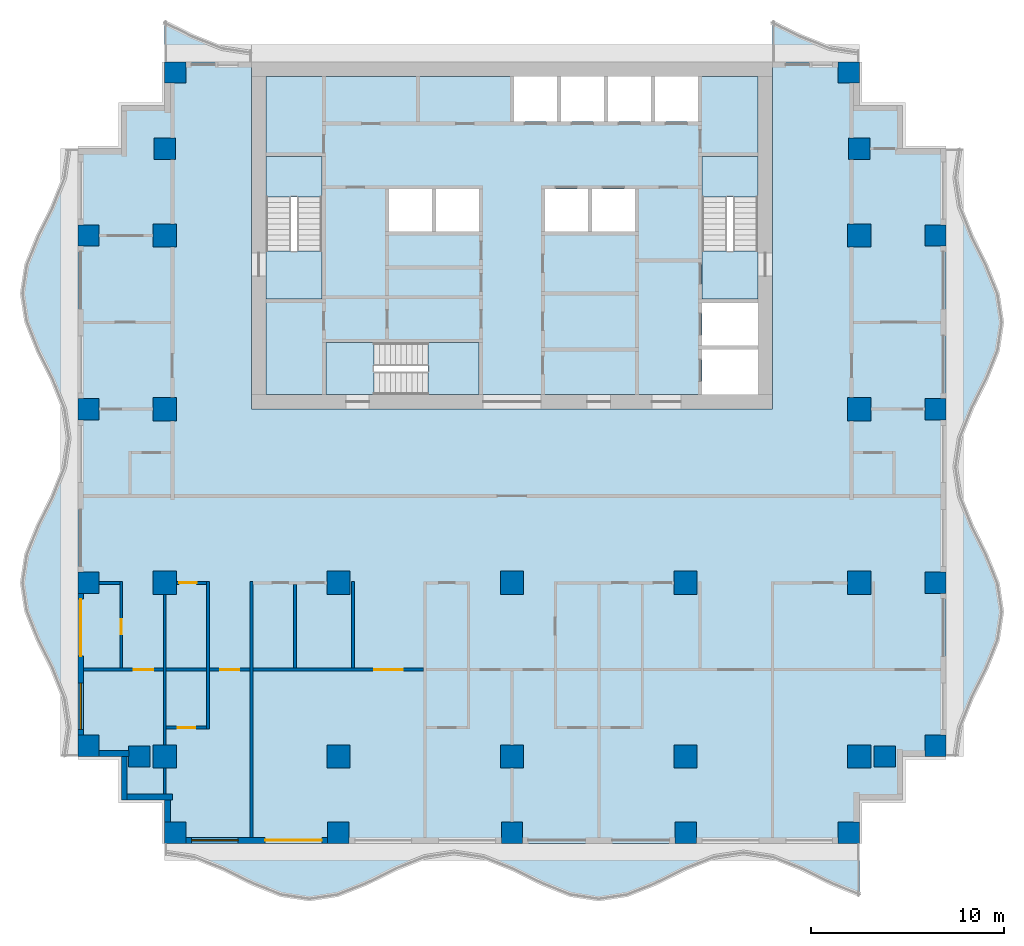
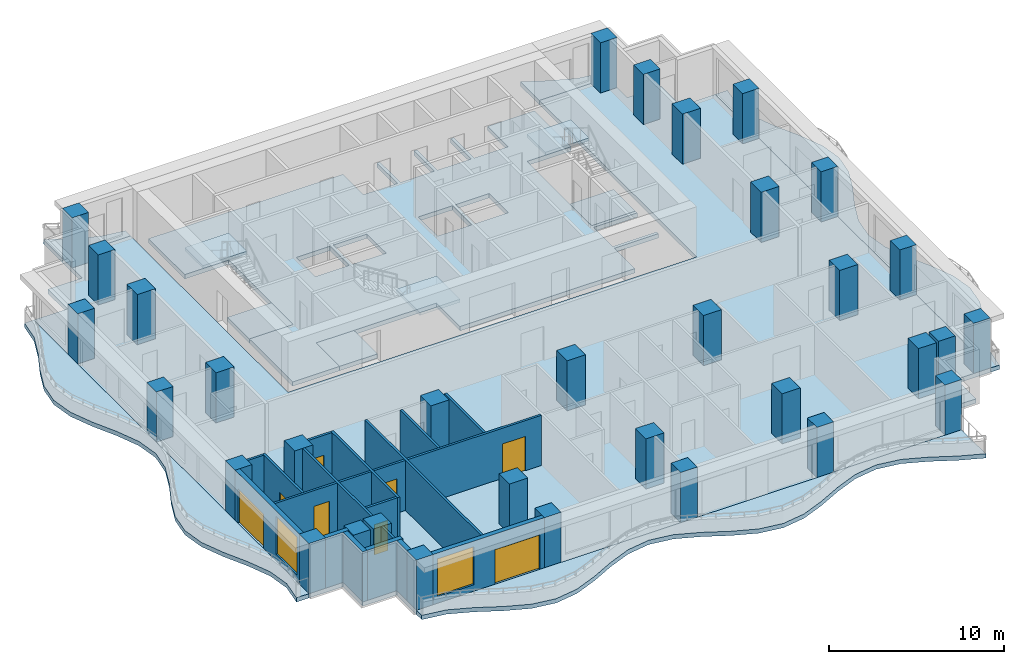
# One storey, part 1 of 10: 33 columns, 20 walls, 13 slabs, 8 doors, 2 windows, 10 openings, 3 elements without a shape of their own.
"""IFC4 building model written with IfcOpenShell, lengths in metres."""

from ifc_helpers import new_model, si_unit, direction, frame, frame_2d, origin, origin_2d, place, context, subcontext, project, spatial, polyline, rectangle, outline, extrude, material, layer, layer_set, material_profile, profile_set, type_object, element, fill, aggregate, save


model = new_model("IFC4")

# Units and contexts
model_context = context("Model", 3, precision=1e-05, world=origin(), true_north=direction((0.0, 1.0)))
body_context = subcontext(model_context, "Body", "Model", "MODEL_VIEW")
ifc_project = project(units=[si_unit("LENGTHUNIT", "METRE"), si_unit("AREAUNIT", "SQUARE_METRE"), si_unit("VOLUMEUNIT", "CUBIC_METRE"), si_unit("PLANEANGLEUNIT", "RADIAN"), si_unit("MASSUNIT", "GRAM", prefix="KILO")], contexts=[model_context])

# Site, building, storey
site_placement = place(None, origin())
site = spatial("IfcSite", under=ifc_project, at=site_placement, CompositionType="ELEMENT")
building_placement = place(site_placement, origin())
building = spatial("IfcBuilding", under=site, at=building_placement, Name="Orbiselva Terraces", CompositionType="ELEMENT")
storey_placement = place(building_placement, frame((0.0, 0.0, 166.8)))
storey = spatial("IfcBuildingStorey", under=building, at=storey_placement, Name="L42", CompositionType="ELEMENT", Elevation=166.8)

# Columns
ifc_material_1 = material(Name="Concrete C60/75", Category="concrete")
ifc_material_profile_1 = material_profile(ifc_material_1, rectangle(XDim=1.2, YDim=1.2, at=origin_2d()), Name="RC 1200x1200")
ifc_profile_set_1 = profile_set([ifc_material_profile_1], Name="Concrete C60/75")
column_type_1 = type_object("IfcColumnType", Name="COLUMN RC 1200x1200", PredefinedType="COLUMN", material=ifc_profile_set_1)
for number, where, z_axis, x_axis, name in (
    (1, (-18.0, -13.5, 0.0), (0.0, 0.0, 1.0), (1.0, 0.0, 0.0), "Column L42-01"),
    (2, (-18.0, -4.5, 0.0), (0.0, 0.0, 1.0), (1.0, 0.0, 0.0), "Column L42-03"),
    (3, (-18.0, 13.5, 0.0), (0.0, 0.0, 1.0), (1.0, 0.0, 0.0), "Column L42-04"),
    (4, (-18.0, 4.5, 0.0), (0.0, 0.0, 1.0), (1.0, 0.0, 0.0), "Column L42-06"),
    (5, (-9.0, -13.5, 0.0), (0.0, 0.0, 1.0), (1.0, 0.0, 0.0), "Column L42-13"),
    (6, (-9.0, -4.5, 0.0), (0.0, 0.0, 1.0), (1.0, 0.0, 0.0), "Column L42-15"),
    (7, (0.0, -13.5, 0.0), (0.0, 0.0, 1.0), (1.0, 0.0, 0.0), "Column L42-16"),
    (8, (0.0, -4.5, 0.0), (0.0, 0.0, 1.0), (1.0, 0.0, 0.0), "Column L42-18"),
    (9, (18.0, -13.5, 0.0), (0.0, 0.0, 1.0), (1.0, 0.0, 0.0), "Column L42-19"),
    (10, (18.0, -4.5, 0.0), (0.0, 0.0, 1.0), (1.0, 0.0, 0.0), "Column L42-21"),
    (11, (18.0, 13.5, 0.0), (0.0, 0.0, 1.0), (1.0, 0.0, 0.0), "Column L42-22"),
    (12, (18.0, 4.5, 0.0), (0.0, 0.0, 1.0), (1.0, 0.0, 0.0), "Column L42-24"),
    (13, (9.0, -13.5, 0.0), (0.0, 0.0, 1.0), (1.0, 0.0, 0.0), "Column L42-31"),
    (14, (9.0, -4.5, 0.0), (0.0, 0.0, 1.0), (1.0, 0.0, 0.0), "Column L42-33"),
):
    element("IfcColumn", number, at=place(storey_placement, frame(where, z_axis=z_axis, x_axis=x_axis)), inside=storey, type_object=column_type_1, Name=name, PredefinedType="COLUMN", context=body_context, shape_type="SweptSolid", body=[
        extrude(rectangle(XDim=1.2, YDim=1.2, at=origin_2d()), origin(), (0.0, 0.0, 1.0), 3.5),
    ])
ifc_material_profile_2 = material_profile(ifc_material_1, rectangle(XDim=1.1, YDim=1.1, at=origin_2d()), Name="RC 1100x1100")
ifc_profile_set_2 = profile_set([ifc_material_profile_2], Name="Concrete C60/75")
column_type_2 = type_object("IfcColumnType", Name="PERIMETER COLUMN RC 1100x1100", PredefinedType="COLUMN", material=ifc_profile_set_2)
for number, where, z_axis, x_axis, name in (
    (15, (-17.45, -17.45, 0.0), (0.0, 0.0, 1.0), (1.0, 0.0, 0.0), "Column L42-02"),
    (16, (-17.45, 21.95, 0.0), (0.0, 0.0, 1.0), (1.0, 0.0, 0.0), "Column L42-05"),
    (17, (-21.95, -12.95, 0.0), (0.0, 0.0, 1.0), (1.0, 0.0, 0.0), "Column L42-07"),
    (18, (-19.32, -13.5, 0.0), (0.0, 0.0, 1.0), (1.0, 0.0, 0.0), "Column L42-08"),
    (19, (-21.95, -4.5, 0.0), (0.0, 0.0, 1.0), (1.0, 0.0, 0.0), "Column L42-09"),
    (20, (-21.95, 13.5, 0.0), (0.0, 0.0, 1.0), (1.0, 0.0, 0.0), "Column L42-10"),
    (21, (-18.0, 18.0, 0.0), (0.0, 0.0, 1.0), (1.0, 0.0, 0.0), "Column L42-11"),
    (22, (-21.95, 4.5, 0.0), (0.0, 0.0, 1.0), (1.0, 0.0, 0.0), "Column L42-12"),
    (23, (-9.0, -17.45, 0.0), (0.0, 0.0, 1.0), (1.0, 0.0, 0.0), "Column L42-14"),
    (24, (0.0, -17.45, 0.0), (0.0, 0.0, 1.0), (1.0, 0.0, 0.0), "Column L42-17"),
    (25, (17.45, -17.45, 0.0), (0.0, 0.0, 1.0), (1.0, 0.0, 0.0), "Column L42-20"),
    (26, (17.45, 21.95, 0.0), (0.0, 0.0, 1.0), (1.0, 0.0, 0.0), "Column L42-23"),
    (27, (21.95, -12.95, 0.0), (0.0, 0.0, 1.0), (1.0, 0.0, 0.0), "Column L42-25"),
    (28, (19.32, -13.5, 0.0), (0.0, 0.0, 1.0), (1.0, 0.0, 0.0), "Column L42-26"),
    (29, (21.95, -4.5, 0.0), (0.0, 0.0, 1.0), (1.0, 0.0, 0.0), "Column L42-27"),
    (30, (21.95, 13.5, 0.0), (0.0, 0.0, 1.0), (1.0, 0.0, 0.0), "Column L42-28"),
    (31, (18.0, 18.0, 0.0), (0.0, 0.0, 1.0), (1.0, 0.0, 0.0), "Column L42-29"),
    (32, (21.95, 4.5, 0.0), (0.0, 0.0, 1.0), (1.0, 0.0, 0.0), "Column L42-30"),
    (33, (9.0, -17.45, 0.0), (0.0, 0.0, 1.0), (1.0, 0.0, 0.0), "Column L42-32"),
):
    element("IfcColumn", number, at=place(storey_placement, frame(where, z_axis=z_axis, x_axis=x_axis)), inside=storey, type_object=column_type_2, Name=name, PredefinedType="COLUMN", context=body_context, shape_type="SweptSolid", body=[
        extrude(rectangle(XDim=1.1, YDim=1.1, at=origin_2d()), origin(), (0.0, 0.0, 1.0), 3.5),
    ])

# Slabs
ifc_material_2 = material(Name="Concrete C40/50", Category="concrete")
ifc_layer_1 = layer(ifc_material_2, 0.3)
ifc_layer_set_1 = layer_set([ifc_layer_1], Name="Concrete C40/50")
slab_type_1 = type_object("IfcSlabType", Name="CORE-SLAB-FLOOR-300", PredefinedType="FLOOR", material=ifc_layer_set_1)
slab_1_placement = place(storey_placement, frame((0.0, 0.0, -0.3)))
element("IfcSlab", 34, at=slab_1_placement, inside=storey, type_object=slab_type_1, Name="L42 S1 floor landing", PredefinedType="FLOOR", context=body_context, shape_type="SweptSolid", body=[
    extrude(outline(polyline([(-12.75, 12.7), (-9.85, 12.7), (-9.85, 10.2), (-12.75, 10.2), (-12.75, 12.7)])), origin(), (0.0, 0.0, 1.0), 0.3),
])
slab_2_placement = place(storey_placement, frame((0.0, 0.0, -0.3)))
element("IfcSlab", 35, at=slab_2_placement, inside=storey, type_object=slab_type_1, Name="L42 S2 floor landing", PredefinedType="FLOOR", context=body_context, shape_type="SweptSolid", body=[
    extrude(outline(polyline([(12.75, 12.7), (12.75, 10.2), (9.85, 10.2), (9.85, 12.7), (12.75, 12.7)])), origin(), (0.0, 0.0, 1.0), 0.3),
])
slab_3_placement = place(storey_placement, frame((0.0, 0.0, -0.3)))
element("IfcSlab", 36, at=slab_3_placement, inside=storey, type_object=slab_type_1, Name="L42 S3 floor landing", PredefinedType="FLOOR", context=body_context, shape_type="SweptSolid", body=[
    extrude(outline(polyline([(-7.15, 5.25), (-9.65, 5.25), (-9.65, 7.95), (-7.15, 7.95), (-7.15, 5.25)])), origin(), (0.0, 0.0, 1.0), 0.3),
])
slab_4_placement = place(storey_placement, frame((0.0, 0.0, -0.3)))
element("IfcSlab", 37, at=slab_4_placement, inside=storey, type_object=slab_type_1, Name="L42 core floor slab 1", PredefinedType="FLOOR", context=body_context, shape_type="SweptSolid", body=[
    extrude(outline(polyline([(-1.7, 5.25), (-1.7, 7.95), (-9.65, 7.95), (-9.65, 5.25), (-12.75, 5.25), (-12.75, 10.2), (-9.85, 10.2), (-9.85, 17.6), (-12.75, 17.6), (-12.75, 21.75), (0.1, 21.75), (0.1, 19.4), (2.3375, 19.4), (2.3375, 21.75), (2.5375, 21.75), (2.5375, 19.4), (4.775, 19.4), (4.775, 21.75), (4.975, 21.75), (4.975, 19.4), (7.2125, 19.4), (7.2125, 21.75), (7.4125, 21.75), (7.4125, 19.4), (9.65, 19.4), (9.65, 21.75), (12.75, 21.75), (12.75, 17.6), (9.85, 17.6), (9.85, 10.2), (12.75, 10.2), (12.75, 10.0), (9.85, 10.0), (9.85, 7.8), (12.75, 7.8), (12.75, 7.6), (9.85, 7.6), (9.85, 5.25), (-1.7, 5.25)]), holes=[polyline([(-4.1375, 13.7), (-4.1375, 15.9), (-6.375, 15.9), (-6.375, 13.7), (-4.1375, 13.7)]), polyline([(-1.7, 13.7), (-1.7, 15.9), (-3.9375, 15.9), (-3.9375, 13.7), (-1.7, 13.7)]), polyline([(3.9375, 15.9), (1.7, 15.9), (1.7, 13.7), (3.9375, 13.7), (3.9375, 15.9)]), polyline([(6.375, 13.7), (6.375, 15.9), (4.1375, 15.9), (4.1375, 13.7), (6.375, 13.7)])]), origin(), (0.0, 0.0, 1.0), 0.3),
])

# Stair, slab
stair_type_1 = type_object("IfcStairType", Name="CORE-STAIR-1300", PredefinedType="HALF_TURN_STAIR", material=ifc_material_2)
stair_1_placement = place(storey_placement, origin())
stair_1 = element("IfcStair", 38, at=stair_1_placement, inside=storey, type_object=stair_type_1, Name="L42 Exit Stair S1", PredefinedType="HALF_TURN_STAIR")
ifc_layer_2 = layer(ifc_material_2, 0.2)
ifc_layer_set_2 = layer_set([ifc_layer_2], Name="Concrete C40/50")
slab_type_2 = type_object("IfcSlabType", Name="CORE-STAIR-LANDING-200", PredefinedType="LANDING", material=ifc_layer_set_2)
slab_5_placement = place(storey_placement, frame((0.0, 0.0, 1.7)))
slab_5 = element("IfcSlab", 39, at=slab_5_placement, type_object=slab_type_2, Name="S1 landing 1", PredefinedType="LANDING", context=body_context, shape_type="SweptSolid", body=[
    extrude(outline(polyline([(-9.85, 15.5), (-9.85, 17.6), (-12.75, 17.6), (-12.75, 15.5), (-9.85, 15.5)])), origin(), (0.0, 0.0, 1.0), 0.2),
])
aggregate(stair_1, [slab_5])

stair_2_placement = place(storey_placement, origin())
stair_2 = element("IfcStair", 40, at=stair_2_placement, inside=storey, type_object=stair_type_1, Name="L42 Exit Stair S2", PredefinedType="HALF_TURN_STAIR")
slab_6_placement = place(storey_placement, frame((0.0, 0.0, 1.7)))
slab_6 = element("IfcSlab", 41, at=slab_6_placement, type_object=slab_type_2, Name="S2 landing 1", PredefinedType="LANDING", context=body_context, shape_type="SweptSolid", body=[
    extrude(outline(polyline([(12.75, 15.5), (12.75, 17.6), (9.85, 17.6), (9.85, 15.5), (12.75, 15.5)])), origin(), (0.0, 0.0, 1.0), 0.2),
])
aggregate(stair_2, [slab_6])

stair_type_2 = type_object("IfcStairType", Name="CORE-STAIR-1200", PredefinedType="HALF_TURN_STAIR", material=ifc_material_2)
stair_3_placement = place(storey_placement, origin())
stair_3 = element("IfcStair", 42, at=stair_3_placement, inside=storey, type_object=stair_type_2, Name="L42 Exit Stair S3", PredefinedType="HALF_TURN_STAIR")
slab_7_placement = place(storey_placement, frame((0.0, 0.0, 1.7)))
slab_7 = element("IfcSlab", 43, at=slab_7_placement, type_object=slab_type_2, Name="S3 landing 1", PredefinedType="LANDING", context=body_context, shape_type="SweptSolid", body=[
    extrude(outline(polyline([(-4.35, 5.25), (-1.7, 5.25), (-1.7, 7.95), (-4.35, 7.95), (-4.35, 5.25)])), origin(), (0.0, 0.0, 1.0), 0.2),
])
aggregate(stair_3, [slab_7])

# Slabs
ifc_material_3 = material(Name="Concrete C50/60", Category="concrete")
ifc_layer_3 = layer(ifc_material_3, 0.3)
ifc_layer_set_3 = layer_set([ifc_layer_3], Name="Concrete C50/60")
slab_type_3 = type_object("IfcSlabType", Name="ENV-BALCONY-SLAB-300", PredefinedType="FLOOR", material=ifc_layer_set_3)
slab_8_placement = place(storey_placement, frame((0.0, 0.0, -0.3)))
element("IfcSlab", 44, at=slab_8_placement, inside=storey, type_object=slab_type_3, Name="Balcony slab L42 S", PredefinedType="FLOOR", context=body_context, shape_type="SweptSolid", body=[
    extrude(outline(polyline([(-18.0, -18.6), (-16.5, -18.82918), (-15.0, -19.42918), (-13.5, -20.17082), (-12.0, -20.77082), (-10.5, -21.0), (-9.0, -20.77082), (-7.5, -20.17082), (-6.0, -19.42918), (-4.5, -18.82918), (-3.0, -18.6), (-1.5, -18.82918), (0.0, -19.42918), (1.5, -20.17082), (3.0, -20.77082), (4.5, -21.0), (6.0, -20.77082), (7.5, -20.17082), (9.0, -19.42918), (10.5, -18.82918), (12.0, -18.6), (13.5, -18.82918), (15.0, -19.42918), (16.5, -20.17082), (18.0, -20.77082), (18.0, -18.0), (-18.0, -18.0), (-18.0, -18.6)])), origin(), (0.0, 0.0, 1.0), 0.3),
])
slab_9_placement = place(storey_placement, frame((0.0, 0.0, -0.3)))
element("IfcSlab", 45, at=slab_9_placement, inside=storey, type_object=slab_type_3, Name="Balcony slab L42 E", PredefinedType="FLOOR", context=body_context, shape_type="SweptSolid", body=[
    extrude(outline(polyline([(23.1, -13.5), (23.32918, -12.0), (23.92918, -10.5), (24.67082, -9.0), (25.27082, -7.5), (25.5, -6.0), (25.27082, -4.5), (24.67082, -3.0), (23.92918, -1.5), (23.32918, 0.0), (23.1, 1.5), (23.32918, 3.0), (23.92918, 4.5), (24.67082, 6.0), (25.27082, 7.5), (25.5, 9.0), (25.27082, 10.5), (24.67082, 12.0), (23.92918, 13.5), (23.32918, 15.0), (23.1, 16.5), (23.32918, 18.0), (22.5, 18.0), (22.5, -13.5), (23.1, -13.5)])), origin(), (0.0, 0.0, 1.0), 0.3),
])
slab_10_placement = place(storey_placement, frame((0.0, 0.0, -0.3)))
element("IfcSlab", 46, at=slab_10_placement, inside=storey, type_object=slab_type_3, Name="Balcony slab L42 NE", PredefinedType="FLOOR", context=body_context, shape_type="SweptSolid", body=[
    extrude(outline(polyline([(18.0, 23.1), (16.5, 23.32918), (15.0, 23.92918), (13.5, 24.67082), (13.5, 22.5), (18.0, 22.5), (18.0, 23.1)])), origin(), (0.0, 0.0, 1.0), 0.3),
])
slab_11_placement = place(storey_placement, frame((0.0, 0.0, -0.3)))
element("IfcSlab", 47, at=slab_11_placement, inside=storey, type_object=slab_type_3, Name="Balcony slab L42 NW", PredefinedType="FLOOR", context=body_context, shape_type="SweptSolid", body=[
    extrude(outline(polyline([(-13.5, 23.1), (-15.0, 23.32918), (-16.5, 23.92918), (-18.0, 24.67082), (-18.0, 22.5), (-13.5, 22.5), (-13.5, 23.1)])), origin(), (0.0, 0.0, 1.0), 0.3),
])
slab_12_placement = place(storey_placement, frame((0.0, 0.0, -0.3)))
element("IfcSlab", 48, at=slab_12_placement, inside=storey, type_object=slab_type_3, Name="Balcony slab L42 W", PredefinedType="FLOOR", context=body_context, shape_type="SweptSolid", body=[
    extrude(outline(polyline([(-23.1, 18.0), (-23.32918, 16.5), (-23.92918, 15.0), (-24.67082, 13.5), (-25.27082, 12.0), (-25.5, 10.5), (-25.27082, 9.0), (-24.67082, 7.5), (-23.92918, 6.0), (-23.32918, 4.5), (-23.1, 3.0), (-23.32918, 1.5), (-23.92918, 0.0), (-24.67082, -1.5), (-25.27082, -3.0), (-25.5, -4.5), (-25.27082, -6.0), (-24.67082, -7.5), (-23.92918, -9.0), (-23.32918, -10.5), (-23.1, -12.0), (-23.32918, -13.5), (-22.5, -13.5), (-22.5, 18.0), (-23.1, 18.0)])), origin(), (0.0, 0.0, 1.0), 0.3),
])
ifc_layer_4 = layer(ifc_material_3, 0.3)
ifc_layer_set_4 = layer_set([ifc_layer_4], Name="Concrete C50/60")
slab_type_4 = type_object("IfcSlabType", Name="FLOOR SLAB 300", PredefinedType="FLOOR", material=ifc_layer_set_4)
slab_13_placement = place(storey_placement, frame((0.0, 0.0, -0.3)))
element("IfcSlab", 49, at=slab_13_placement, inside=storey, type_object=slab_type_4, Name="Floor slab L42", PredefinedType="FLOOR", context=body_context, shape_type="SweptSolid", body=[
    extrude(outline(polyline([(18.0, 22.5), (18.0, 20.25), (20.25, 20.25), (20.25, 18.0), (22.5, 18.0), (22.5, -13.5), (20.25, -13.5), (20.25, -15.75), (18.0, -15.75), (18.0, -18.0), (-18.0, -18.0), (-18.0, -15.75), (-20.25, -15.75), (-20.25, -13.5), (-22.5, -13.5), (-22.5, 18.0), (-20.25, 18.0), (-20.25, 20.25), (-18.0, 20.25), (-18.0, 22.5), (-13.5, 22.5), (-13.5, 4.5), (13.5, 4.5), (13.5, 22.5), (18.0, 22.5)])), origin(), (0.0, 0.0, 1.0), 0.3),
])

# Wall, openings, door, window
ifc_material_4 = material(Name="Terracotta cladding on masonry backing", Category="masonry")
ifc_layer_5 = layer(ifc_material_4, 0.3)
ifc_layer_set_5 = layer_set([ifc_layer_5], Name="Terracotta cladding on masonry backing")
wall_type_1 = type_object("IfcWallType", Name="ENV-WALL-TERRACOTTA-300", PredefinedType="SOLIDWALL", material=ifc_layer_set_5)
wall_1_placement = place(storey_placement, frame((-9.55, -17.85, 0.0), z_axis=(0.0, 0.0, 1.0), x_axis=(-1.0, 0.0, 0.0)))
wall_1 = element("IfcWall", 50, at=wall_1_placement, inside=storey, type_object=wall_type_1, Name="Facade wall L42 S", PredefinedType="SOLIDWALL", context=body_context, shape_type="SweptSolid", body=[
    extrude(rectangle(XDim=7.35, YDim=0.3, at=frame_2d((3.675, 0.0))), origin(), (0.0, 0.0, 1.0), 3.5),
])
opening_1_placement = place(wall_1_placement, frame((4.65, 0.0, 0.45)))
opening_1 = element("IfcOpeningElement", 51, at=opening_1_placement, cuts=wall_1, Name="Opening WN11", PredefinedType="OPENING", context=body_context, shape_type="SweptSolid", body=[
    extrude(rectangle(XDim=2.4, YDim=2.65, at=frame_2d((1.2, 1.325))), frame((0.0, 0.16, 0.0), z_axis=(0.0, -1.0, 0.0), x_axis=(1.0, 0.0, 0.0)), (0.0, 0.0, 1.0), 0.32),
])
opening_2_placement = place(wall_1_placement, frame((0.3, 0.0, 0.0)))
opening_2 = element("IfcOpeningElement", 52, at=opening_2_placement, cuts=wall_1, Name="Opening Z3-E-E01", PredefinedType="OPENING", context=body_context, shape_type="SweptSolid", body=[
    extrude(rectangle(XDim=2.95, YDim=2.4, at=frame_2d((1.475, 1.2))), frame((0.0, 0.16, 0.0), z_axis=(0.0, -1.0, 0.0), x_axis=(1.0, 0.0, 0.0)), (0.0, 0.0, 1.0), 0.32),
])
ifc_material_5 = material(Name="Clear low-e glazing in aluminium frame", Category="aluminium")
door_type_1 = type_object("IfcDoorType", Name="BALCONY DOOR 2950 X 2400", OperationType="DOUBLE_DOOR_SLIDING", PredefinedType="DOOR", material=ifc_material_5)
door_1_placement = place(opening_2_placement, origin())
door_1 = element("IfcDoor", 53, at=door_1_placement, inside=storey, type_object=door_type_1, Name="Z3-E-E01", OperationType="SINGLE_SWING_LEFT", OverallHeight=2.4, OverallWidth=2.95, PredefinedType="DOOR", context=body_context, shape_type="SweptSolid", body=[
    extrude(rectangle(XDim=2.95, YDim=2.4, at=frame_2d((1.475, 1.2))), frame((0.0, 0.025, 0.0), z_axis=(0.0, -1.0, 0.0), x_axis=(1.0, 0.0, 0.0)), (0.0, 0.0, 1.0), 0.05),
])
fill(opening_2, door_1)
window_type = type_object("IfcWindowType", Name="WINDOW 2400 X 2650 S450", PartitioningType="TRIPLE_PANEL_VERTICAL", PredefinedType="WINDOW", material=ifc_material_5)
window_1_placement = place(opening_1_placement, origin())
window_1 = element("IfcWindow", 54, at=window_1_placement, inside=storey, type_object=window_type, Name="Window L42 S", OverallHeight=2.65, OverallWidth=2.4, PartitioningType="SINGLE_PANEL", PredefinedType="WINDOW", context=body_context, shape_type="SweptSolid", body=[
    extrude(rectangle(XDim=2.4, YDim=2.65, at=frame_2d((1.2, 1.325))), frame((0.0, 0.03, 0.0), z_axis=(0.0, -1.0, 0.0), x_axis=(1.0, 0.0, 0.0)), (0.0, 0.0, 1.0), 0.06),
])
fill(opening_1, window_1)

wall_2_placement = place(storey_placement, frame((-22.35, -12.4, 0.0), z_axis=(0.0, 0.0, 1.0), x_axis=(0.0, 1.0, 0.0)))
wall_2 = element("IfcWall", 55, at=wall_2_placement, inside=storey, type_object=wall_type_1, Name="Facade wall L42 W", PredefinedType="SOLIDWALL", context=body_context, shape_type="SweptSolid", body=[
    extrude(rectangle(XDim=7.35, YDim=0.3, at=frame_2d((3.675, 0.0))), origin(), (0.0, 0.0, 1.0), 3.5),
])
opening_3_placement = place(wall_2_placement, frame((4.1, 0.0, 0.0)))
opening_3 = element("IfcOpeningElement", 56, at=opening_3_placement, cuts=wall_2, Name="Opening Z3-E-E11", PredefinedType="OPENING", context=body_context, shape_type="SweptSolid", body=[
    extrude(rectangle(XDim=2.95, YDim=2.4, at=frame_2d((1.475, 1.2))), frame((0.0, 0.16, 0.0), z_axis=(0.0, -1.0, 0.0), x_axis=(1.0, 0.0, 0.0)), (0.0, 0.0, 1.0), 0.32),
])
opening_4_placement = place(wall_2_placement, frame((0.3, 0.0, 0.45)))
opening_4 = element("IfcOpeningElement", 57, at=opening_4_placement, cuts=wall_2, Name="Opening WN11", PredefinedType="OPENING", context=body_context, shape_type="SweptSolid", body=[
    extrude(rectangle(XDim=2.4, YDim=2.65, at=frame_2d((1.2, 1.325))), frame((0.0, 0.16, 0.0), z_axis=(0.0, -1.0, 0.0), x_axis=(1.0, 0.0, 0.0)), (0.0, 0.0, 1.0), 0.32),
])
door_2_placement = place(opening_3_placement, origin())
door_2 = element("IfcDoor", 58, at=door_2_placement, inside=storey, type_object=door_type_1, Name="Z3-E-E11", OperationType="SINGLE_SWING_LEFT", OverallHeight=2.4, OverallWidth=2.95, PredefinedType="DOOR", context=body_context, shape_type="SweptSolid", body=[
    extrude(rectangle(XDim=2.95, YDim=2.4, at=frame_2d((1.475, 1.2))), frame((0.0, 0.025, 0.0), z_axis=(0.0, -1.0, 0.0), x_axis=(1.0, 0.0, 0.0)), (0.0, 0.0, 1.0), 0.05),
])
fill(opening_3, door_2)
window_2_placement = place(opening_4_placement, origin())
window_2 = element("IfcWindow", 59, at=window_2_placement, inside=storey, type_object=window_type, Name="Window L42 W", OverallHeight=2.65, OverallWidth=2.4, PartitioningType="SINGLE_PANEL", PredefinedType="WINDOW", context=body_context, shape_type="SweptSolid", body=[
    extrude(rectangle(XDim=2.4, YDim=2.65, at=frame_2d((1.2, 1.325))), frame((0.0, 0.03, 0.0), z_axis=(0.0, -1.0, 0.0), x_axis=(1.0, 0.0, 0.0)), (0.0, 0.0, 1.0), 0.06),
])
fill(opening_4, window_2)

# Walls
wall_3_placement = place(storey_placement, frame((-19.85, -13.35, 0.0), z_axis=(0.0, 0.0, 1.0), x_axis=(-1.0, 0.0, 0.0)))
element("IfcWall", 60, at=wall_3_placement, inside=storey, type_object=wall_type_1, Name="Facade wall L42 STEP", PredefinedType="SOLIDWALL", context=body_context, shape_type="SweptSolid", body=[
    extrude(rectangle(XDim=1.55, YDim=0.3, at=frame_2d((0.775, 0.0))), origin(), (0.0, 0.0, 1.0), 3.5),
])
wall_4_placement = place(storey_placement, frame((-20.1, -15.75, 0.0), z_axis=(0.0, 0.0, 1.0), x_axis=(0.0, 1.0, 0.0)))
element("IfcWall", 61, at=wall_4_placement, inside=storey, type_object=wall_type_1, Name="Facade wall L42 STEP", PredefinedType="SOLIDWALL", context=body_context, shape_type="SweptSolid", body=[
    extrude(rectangle(XDim=2.25, YDim=0.3, at=frame_2d((1.125, 0.0))), origin(), (0.0, 0.0, 1.0), 3.5),
])
wall_5_placement = place(storey_placement, frame((-17.6, -15.6, 0.0), z_axis=(0.0, 0.0, 1.0), x_axis=(-1.0, 0.0, 0.0)))
element("IfcWall", 62, at=wall_5_placement, inside=storey, type_object=wall_type_1, Name="Facade wall L42 STEP", PredefinedType="SOLIDWALL", context=body_context, shape_type="SweptSolid", body=[
    extrude(rectangle(XDim=2.35, YDim=0.3, at=frame_2d((1.175, 0.0))), origin(), (0.0, 0.0, 1.0), 3.5),
])
wall_6_placement = place(storey_placement, frame((-17.85, -16.9, 0.0), z_axis=(0.0, 0.0, 1.0), x_axis=(0.0, 1.0, 0.0)))
element("IfcWall", 63, at=wall_6_placement, inside=storey, type_object=wall_type_1, Name="Facade wall L42 STEP", PredefinedType="SOLIDWALL", context=body_context, shape_type="SweptSolid", body=[
    extrude(rectangle(XDim=1.15, YDim=0.3, at=frame_2d((0.575, 0.0))), origin(), (0.0, 0.0, 1.0), 3.5),
])

# Wall, opening, door
ifc_material_6 = material(Name="Plasterboard on steel stud partition", Category="steel")
ifc_layer_6 = layer(ifc_material_6, 0.15)
ifc_layer_set_6 = layer_set([ifc_layer_6], Name="Plasterboard on steel stud partition")
wall_type_2 = type_object("IfcWallType", Name="UNIT-PARTITION-150", PredefinedType="PARTITIONING", material=ifc_layer_set_6)
wall_7_placement = place(storey_placement, frame((-17.925, -12.0, 0.0), z_axis=(0.0, 0.0, 1.0), x_axis=(1.0, 0.0, 0.0)))
wall_7 = element("IfcWall", 64, at=wall_7_placement, inside=storey, type_object=wall_type_2, Name="PARTITION L42-001", PredefinedType="PARTITIONING", context=body_context, shape_type="SweptSolid", body=[
    extrude(rectangle(XDim=2.1, YDim=0.15, at=frame_2d((1.05, 0.0))), origin(), (0.0, 0.0, 1.0), 3.5),
])
opening_5_placement = place(wall_7_placement, frame((0.6, 0.0, 0.0)))
opening_5 = element("IfcOpeningElement", 65, at=opening_5_placement, cuts=wall_7, Name="Opening Z3-E-30", PredefinedType="OPENING", context=body_context, shape_type="SweptSolid", body=[
    extrude(rectangle(XDim=0.9, YDim=2.1, at=frame_2d((0.45, 1.05))), frame((0.0, 0.085, 0.0), z_axis=(0.0, -1.0, 0.0), x_axis=(1.0, 0.0, 0.0)), (0.0, 0.0, 1.0), 0.17),
])
ifc_material_7 = material(Name="Painted timber door leaf", Category="wood")
door_type_2 = type_object("IfcDoorType", Name="BATH DOOR 900", OperationType="NOTDEFINED", PredefinedType="DOOR", material=ifc_material_7)
door_3_placement = place(opening_5_placement, origin())
door_3 = element("IfcDoor", 66, at=door_3_placement, inside=storey, type_object=door_type_2, Name="Z3-E-30", OperationType="SINGLE_SWING_LEFT", OverallHeight=2.1, OverallWidth=0.9, PredefinedType="DOOR", context=body_context, shape_type="SweptSolid", body=[
    extrude(rectangle(XDim=0.9, YDim=2.1, at=frame_2d((0.45, 1.05))), frame((0.0, 0.025, 0.0), z_axis=(0.0, -1.0, 0.0), x_axis=(1.0, 0.0, 0.0)), (0.0, 0.0, 1.0), 0.05),
])
fill(opening_5, door_3)

wall_8_placement = place(storey_placement, frame((-18.075, -9.0, 0.0), z_axis=(0.0, 0.0, 1.0), x_axis=(-1.0, 0.0, 0.0)))
wall_8 = element("IfcWall", 67, at=wall_8_placement, inside=storey, type_object=wall_type_2, Name="PARTITION L42-005", PredefinedType="PARTITIONING", context=body_context, shape_type="SweptSolid", body=[
    extrude(rectangle(XDim=4.125, YDim=0.15, at=frame_2d((2.0625, 0.0))), origin(), (0.0, 0.0, 1.0), 3.5),
])
opening_6_placement = place(wall_8_placement, frame((0.525, 0.0, 0.0)))
opening_6 = element("IfcOpeningElement", 68, at=opening_6_placement, cuts=wall_8, Name="Opening Z3-E-31", PredefinedType="OPENING", context=body_context, shape_type="SweptSolid", body=[
    extrude(rectangle(XDim=1.0, YDim=2.4, at=frame_2d((0.5, 1.2))), frame((0.0, 0.085, 0.0), z_axis=(0.0, -1.0, 0.0), x_axis=(1.0, 0.0, 0.0)), (0.0, 0.0, 1.0), 0.17),
])
door_type_3 = type_object("IfcDoorType", Name="ROOM DOOR 1000", OperationType="NOTDEFINED", PredefinedType="DOOR", material=ifc_material_7)
door_4_placement = place(opening_6_placement, origin())
door_4 = element("IfcDoor", 69, at=door_4_placement, inside=storey, type_object=door_type_3, Name="Z3-E-31", OperationType="SINGLE_SWING_LEFT", OverallHeight=2.4, OverallWidth=1.0, PredefinedType="DOOR", context=body_context, shape_type="SweptSolid", body=[
    extrude(rectangle(XDim=1.0, YDim=2.4, at=frame_2d((0.5, 1.2))), frame((0.0, 0.025, 0.0), z_axis=(0.0, -1.0, 0.0), x_axis=(1.0, 0.0, 0.0)), (0.0, 0.0, 1.0), 0.05),
])
fill(opening_6, door_4)

# Wall
wall_9_placement = place(storey_placement, frame((-17.925, -9.0, 0.0), z_axis=(0.0, 0.0, 1.0), x_axis=(1.0, 0.0, 0.0)))
element("IfcWall", 70, at=wall_9_placement, inside=storey, type_object=wall_type_2, Name="PARTITION L42-006", PredefinedType="PARTITIONING", context=body_context, shape_type="SweptSolid", body=[
    extrude(rectangle(XDim=2.1, YDim=0.15, at=frame_2d((1.05, 0.0))), origin(), (0.0, 0.0, 1.0), 3.5),
])

# Wall, opening, door
wall_10_placement = place(storey_placement, frame((-13.575, -9.0, 0.0), z_axis=(0.0, 0.0, 1.0), x_axis=(-1.0, 0.0, 0.0)))
wall_10 = element("IfcWall", 71, at=wall_10_placement, inside=storey, type_object=wall_type_2, Name="PARTITION L42-007", PredefinedType="PARTITIONING", context=body_context, shape_type="SweptSolid", body=[
    extrude(rectangle(XDim=2.1, YDim=0.15, at=frame_2d((1.05, 0.0))), origin(), (0.0, 0.0, 1.0), 3.5),
])
opening_7_placement = place(wall_10_placement, frame((0.55, 0.0, 0.0)))
opening_7 = element("IfcOpeningElement", 72, at=opening_7_placement, cuts=wall_10, Name="Opening Z3-E-29", PredefinedType="OPENING", context=body_context, shape_type="SweptSolid", body=[
    extrude(rectangle(XDim=1.0, YDim=2.4, at=frame_2d((0.5, 1.2))), frame((0.0, 0.085, 0.0), z_axis=(0.0, -1.0, 0.0), x_axis=(1.0, 0.0, 0.0)), (0.0, 0.0, 1.0), 0.17),
])
door_5_placement = place(opening_7_placement, origin())
door_5 = element("IfcDoor", 73, at=door_5_placement, inside=storey, type_object=door_type_3, Name="Z3-E-29", OperationType="SINGLE_SWING_RIGHT", OverallHeight=2.4, OverallWidth=1.0, PredefinedType="DOOR", context=body_context, shape_type="SweptSolid", body=[
    extrude(rectangle(XDim=1.0, YDim=2.4, at=frame_2d((0.5, 1.2))), frame((0.0, 0.025, 0.0), z_axis=(0.0, -1.0, 0.0), x_axis=(1.0, 0.0, 0.0)), (0.0, 0.0, 1.0), 0.05),
])
fill(opening_7, door_5)

wall_11_placement = place(storey_placement, frame((-4.575, -9.0, 0.0), z_axis=(0.0, 0.0, 1.0), x_axis=(-1.0, 0.0, 0.0)))
wall_11 = element("IfcWall", 74, at=wall_11_placement, inside=storey, type_object=wall_type_2, Name="PARTITION L42-008", PredefinedType="PARTITIONING", context=body_context, shape_type="SweptSolid", body=[
    extrude(rectangle(XDim=8.85, YDim=0.15, at=frame_2d((4.425, 0.0))), origin(), (0.0, 0.0, 1.0), 3.5),
])
opening_8_placement = place(wall_11_placement, frame((1.075, 0.0, 0.0)))
opening_8 = element("IfcOpeningElement", 75, at=opening_8_placement, cuts=wall_11, Name="Opening Z3-E-28", PredefinedType="OPENING", context=body_context, shape_type="SweptSolid", body=[
    extrude(rectangle(XDim=1.5, YDim=2.4, at=frame_2d((0.75, 1.2))), frame((0.0, 0.085, 0.0), z_axis=(0.0, -1.0, 0.0), x_axis=(1.0, 0.0, 0.0)), (0.0, 0.0, 1.0), 0.17),
])
door_type_4 = type_object("IfcDoorType", Name="DOUBLE DOOR 1500", OperationType="NOTDEFINED", PredefinedType="DOOR", material=ifc_material_7)
door_6_placement = place(opening_8_placement, origin())
door_6 = element("IfcDoor", 76, at=door_6_placement, inside=storey, type_object=door_type_4, Name="Z3-E-28", OperationType="DOUBLE_DOOR_SINGLE_SWING", OverallHeight=2.4, OverallWidth=1.5, PredefinedType="DOOR", context=body_context, shape_type="SweptSolid", body=[
    extrude(rectangle(XDim=1.5, YDim=2.4, at=frame_2d((0.75, 1.2))), frame((0.0, 0.025, 0.0), z_axis=(0.0, -1.0, 0.0), x_axis=(1.0, 0.0, 0.0)), (0.0, 0.0, 1.0), 0.05),
])
fill(opening_8, door_6)

# Wall
wall_12_placement = place(storey_placement, frame((-21.4, -4.5, 0.0), z_axis=(0.0, 0.0, 1.0), x_axis=(1.0, 0.0, 0.0)))
element("IfcWall", 77, at=wall_12_placement, inside=storey, type_object=wall_type_2, Name="PARTITION L42-015", PredefinedType="PARTITIONING", context=body_context, shape_type="SweptSolid", body=[
    extrude(rectangle(XDim=1.075, YDim=0.15, at=frame_2d((0.5375, 0.0))), origin(), (0.0, 0.0, 1.0), 3.5),
])

# Wall, opening, door
wall_13_placement = place(storey_placement, frame((-15.825, -4.5, 0.0), z_axis=(0.0, 0.0, 1.0), x_axis=(-1.0, 0.0, 0.0)))
wall_13 = element("IfcWall", 78, at=wall_13_placement, inside=storey, type_object=wall_type_2, Name="PARTITION L42-016", PredefinedType="PARTITIONING", context=body_context, shape_type="SweptSolid", body=[
    extrude(rectangle(XDim=1.575, YDim=0.15, at=frame_2d((0.7875, 0.0))), origin(), (0.0, 0.0, 1.0), 3.5),
])
opening_9_placement = place(wall_13_placement, frame((0.525, 0.0, 0.0)))
opening_9 = element("IfcOpeningElement", 79, at=opening_9_placement, cuts=wall_13, Name="Opening Z3-E-19", PredefinedType="OPENING", context=body_context, shape_type="SweptSolid", body=[
    extrude(rectangle(XDim=0.9, YDim=2.1, at=frame_2d((0.45, 1.05))), frame((0.0, 0.085, 0.0), z_axis=(0.0, -1.0, 0.0), x_axis=(1.0, 0.0, 0.0)), (0.0, 0.0, 1.0), 0.17),
])
door_type_5 = type_object("IfcDoorType", Name="SERVICE DOOR 900", OperationType="NOTDEFINED", PredefinedType="DOOR", material=ifc_material_7)
door_7_placement = place(opening_9_placement, origin())
door_7 = element("IfcDoor", 80, at=door_7_placement, inside=storey, type_object=door_type_5, Name="Z3-E-19", OperationType="SINGLE_SWING_RIGHT", OverallHeight=2.1, OverallWidth=0.9, PredefinedType="DOOR", context=body_context, shape_type="SweptSolid", body=[
    extrude(rectangle(XDim=0.9, YDim=2.1, at=frame_2d((0.45, 1.05))), frame((0.0, 0.025, 0.0), z_axis=(0.0, -1.0, 0.0), x_axis=(1.0, 0.0, 0.0)), (0.0, 0.0, 1.0), 0.05),
])
fill(opening_9, door_7)

wall_14_placement = place(storey_placement, frame((-20.25, -8.925, 0.0), z_axis=(0.0, 0.0, 1.0), x_axis=(0.0, 1.0, 0.0)))
wall_14 = element("IfcWall", 81, at=wall_14_placement, inside=storey, type_object=wall_type_2, Name="PARTITION L42-032", PredefinedType="PARTITIONING", context=body_context, shape_type="SweptSolid", body=[
    extrude(rectangle(XDim=4.5, YDim=0.15, at=frame_2d((2.25, 0.0))), origin(), (0.0, 0.0, 1.0), 3.5),
])
opening_10_placement = place(wall_14_placement, frame((1.75, 0.0, 0.0)))
opening_10 = element("IfcOpeningElement", 82, at=opening_10_placement, cuts=wall_14, Name="Opening Z3-E-20", PredefinedType="OPENING", context=body_context, shape_type="SweptSolid", body=[
    extrude(rectangle(XDim=0.8, YDim=2.0, at=frame_2d((0.4, 1.0))), frame((0.0, 0.085, 0.0), z_axis=(0.0, -1.0, 0.0), x_axis=(1.0, 0.0, 0.0)), (0.0, 0.0, 1.0), 0.17),
])
door_type_6 = type_object("IfcDoorType", Name="STORE DOOR 800", OperationType="NOTDEFINED", PredefinedType="DOOR", material=ifc_material_7)
door_8_placement = place(opening_10_placement, origin())
door_8 = element("IfcDoor", 83, at=door_8_placement, inside=storey, type_object=door_type_6, Name="Z3-E-20", OperationType="SINGLE_SWING_LEFT", OverallHeight=2.0, OverallWidth=0.8, PredefinedType="DOOR", context=body_context, shape_type="SweptSolid", body=[
    extrude(rectangle(XDim=0.8, YDim=2.0, at=frame_2d((0.4, 1.0))), frame((0.0, 0.025, 0.0), z_axis=(0.0, -1.0, 0.0), x_axis=(1.0, 0.0, 0.0)), (0.0, 0.0, 1.0), 0.05),
])
fill(opening_10, door_8)

# Walls
wall_15_placement = place(storey_placement, frame((-18.0, -15.45, 0.0), z_axis=(0.0, 0.0, 1.0), x_axis=(0.0, 1.0, 0.0)))
element("IfcWall", 84, at=wall_15_placement, inside=storey, type_object=wall_type_2, Name="PARTITION L42-034", PredefinedType="PARTITIONING", context=body_context, shape_type="SweptSolid", body=[
    extrude(rectangle(XDim=1.35, YDim=0.15, at=frame_2d((0.675, 0.0))), origin(), (0.0, 0.0, 1.0), 3.5),
])
wall_16_placement = place(storey_placement, frame((-18.0, -12.9, 0.0), z_axis=(0.0, 0.0, 1.0), x_axis=(0.0, 1.0, 0.0)))
element("IfcWall", 85, at=wall_16_placement, inside=storey, type_object=wall_type_2, Name="PARTITION L42-035", PredefinedType="PARTITIONING", context=body_context, shape_type="SweptSolid", body=[
    extrude(rectangle(XDim=7.8, YDim=0.15, at=frame_2d((3.9, 0.0))), origin(), (0.0, 0.0, 1.0), 3.5),
])
wall_17_placement = place(storey_placement, frame((-15.75, -12.075, 0.0), z_axis=(0.0, 0.0, 1.0), x_axis=(0.0, 1.0, 0.0)))
element("IfcWall", 86, at=wall_17_placement, inside=storey, type_object=wall_type_2, Name="PARTITION L42-040", PredefinedType="PARTITIONING", context=body_context, shape_type="SweptSolid", body=[
    extrude(rectangle(XDim=7.65, YDim=0.15, at=frame_2d((3.825, 0.0))), origin(), (0.0, 0.0, 1.0), 3.5),
])
wall_18_placement = place(storey_placement, frame((-13.5, -17.7, 0.0), z_axis=(0.0, 0.0, 1.0), x_axis=(0.0, 1.0, 0.0)))
element("IfcWall", 87, at=wall_18_placement, inside=storey, type_object=wall_type_2, Name="PARTITION L42-041", PredefinedType="PARTITIONING", context=body_context, shape_type="SweptSolid", body=[
    extrude(rectangle(XDim=13.275, YDim=0.15, at=frame_2d((6.6375, 0.0))), origin(), (0.0, 0.0, 1.0), 3.5),
])
wall_19_placement = place(storey_placement, frame((-11.25, -8.925, 0.0), z_axis=(0.0, 0.0, 1.0), x_axis=(0.0, 1.0, 0.0)))
element("IfcWall", 88, at=wall_19_placement, inside=storey, type_object=wall_type_2, Name="PARTITION L42-042", PredefinedType="PARTITIONING", context=body_context, shape_type="SweptSolid", body=[
    extrude(rectangle(XDim=4.35, YDim=0.15, at=frame_2d((2.175, 0.0))), origin(), (0.0, 0.0, 1.0), 3.5),
])
wall_20_placement = place(storey_placement, frame((-8.25, -8.925, 0.0), z_axis=(0.0, 0.0, 1.0), x_axis=(0.0, 1.0, 0.0)))
element("IfcWall", 89, at=wall_20_placement, inside=storey, type_object=wall_type_2, Name="PARTITION L42-043", PredefinedType="PARTITIONING", context=body_context, shape_type="SweptSolid", body=[
    extrude(rectangle(XDim=4.5, YDim=0.15, at=frame_2d((2.25, 0.0))), origin(), (0.0, 0.0, 1.0), 3.5),
])

save(model, "model.ifc")
